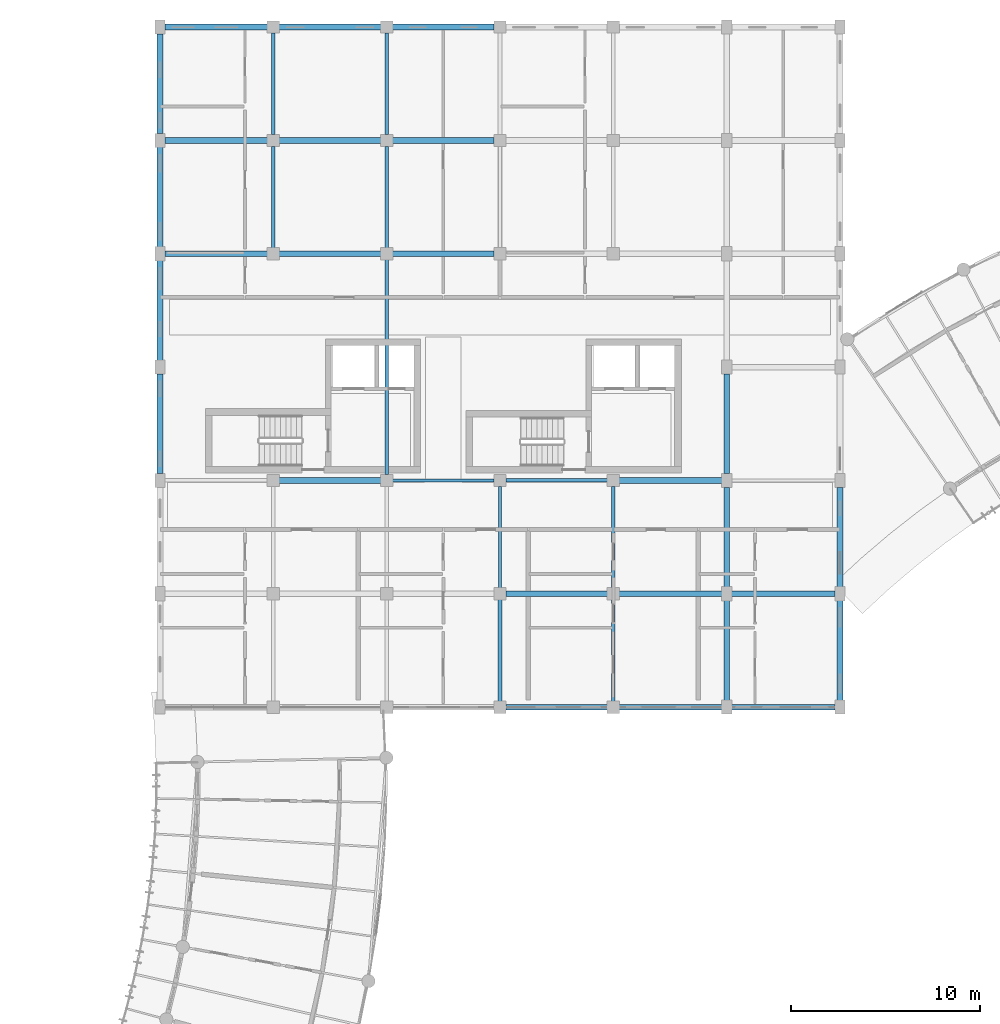
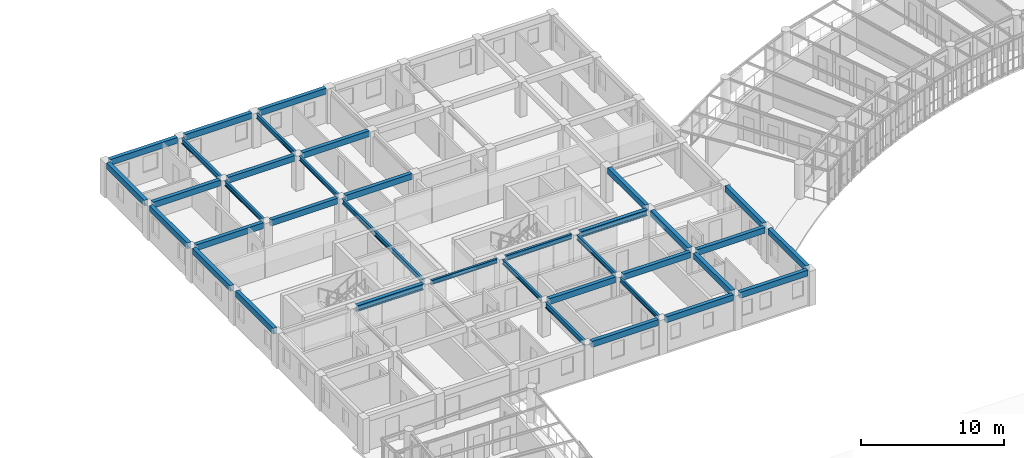
# One storey, part 24 of 100: 37 beams.
"""IFC4 building model written with IfcOpenShell, lengths in metres."""

from ifc_helpers import new_model, si_unit, direction, frame, origin, origin_2d, place, context, subcontext, project, spatial, rectangle, i_section, extrude, material, material_profile, profile_set, type_object, element, save


model = new_model("IFC4")

# Units and contexts
model_context = context("Model", 3, precision=1e-05, world=origin(), true_north=direction((0.0, 1.0)))
body_context = subcontext(model_context, "Body", "Model", "MODEL_VIEW")
ifc_project = project(units=[si_unit("LENGTHUNIT", "METRE"), si_unit("AREAUNIT", "SQUARE_METRE"), si_unit("VOLUMEUNIT", "CUBIC_METRE"), si_unit("PLANEANGLEUNIT", "RADIAN"), si_unit("MASSUNIT", "GRAM", prefix="KILO"), si_unit("POWERUNIT", "WATT"), si_unit("THERMODYNAMICTEMPERATUREUNIT", "KELVIN")], contexts=[model_context])

# Site, building, storey
site_placement = place(None, origin())
site = spatial("IfcSite", under=ifc_project, at=site_placement, CompositionType="ELEMENT")
building_placement = place(site_placement, origin())
building = spatial("IfcBuilding", under=site, at=building_placement, Name="Ruvembo Vaulted Housing Court", CompositionType="ELEMENT")
storey_placement = place(building_placement, frame((0.0, 0.0, 10.89990234375)))
storey = spatial("IfcBuildingStorey", under=building, at=storey_placement, Name="L03", CompositionType="ELEMENT", Elevation=10.89990234375)

# Beams
ifc_material_1 = material(Name="Steel S355J2", Category="steel")
ifc_material_profile_1 = material_profile(ifc_material_1, i_section(OverallWidth=0.300048828125, OverallDepth=0.5, WebThickness=0.014404296875, FlangeThickness=0.028076171875, FilletRadius=0.027099609375, at=origin_2d()), Name="HEB 320")
ifc_profile_set_1 = profile_set([ifc_material_profile_1], Name="Steel S355J2")
beam_type_1 = type_object("IfcBeamType", Name="BM-ST-HEB320", PredefinedType="BEAM", material=ifc_profile_set_1)
beam_1_placement = place(storey_placement, frame((54.31005859375, 90.0, 2.676025390625), z_axis=(1.0, 0.0, 0.0), x_axis=(0.0, 1.0, 0.0)))
element("IfcBeam", 1, at=beam_1_placement, inside=storey, type_object=beam_type_1, Name="L03 Grid Beam X #1814", PredefinedType="BEAM", context=body_context, shape_type="SweptSolid", body=[
    extrude(i_section(OverallWidth=0.300048828125, OverallDepth=0.5, WebThickness=0.014404296875, FlangeThickness=0.028076171875, FilletRadius=0.027099609375, at=origin_2d()), origin(), (0.0, 0.0, 1.0), 5.3798828125),
])
beam_2_placement = place(storey_placement, frame((72.31005859375, 90.0, 2.676025390625), z_axis=(1.0, 0.0, 0.0), x_axis=(0.0, 1.0, 0.0)))
element("IfcBeam", 2, at=beam_2_placement, inside=storey, type_object=beam_type_1, Name="L03 Grid Beam X #1817", PredefinedType="BEAM", context=body_context, shape_type="SweptSolid", body=[
    extrude(i_section(OverallWidth=0.300048828125, OverallDepth=0.5, WebThickness=0.014404296875, FlangeThickness=0.028076171875, FilletRadius=0.027099609375, at=origin_2d()), origin(), (0.0, 0.0, 1.0), 5.429931640625),
])
ifc_material_profile_2 = material_profile(ifc_material_1, i_section(OverallWidth=0.169921875, OverallDepth=0.360107421875, WebThickness=0.008056640625, FlangeThickness=0.0126953125, FilletRadius=0.01806640625, at=origin_2d()), Name="IPE 360")
ifc_profile_set_2 = profile_set([ifc_material_profile_2], Name="Steel S355J2")
beam_type_2 = type_object("IfcBeamType", Name="BM-ST-IPE360", PredefinedType="BEAM", material=ifc_profile_set_2)
for number, where, z_axis, x_axis, name in (
    (3, (60.31005859375, 90.0, 2.74609375), (1.0, 0.0, 0.0), (0.0, 1.0, 0.0), "L03 Grid Beam X #1815"),
    (4, (60.0, 102.31005859375, 2.74609375), (0.0, 1.0, 0.0), (-1.0, 0.0, 0.0), "L03 Grid Beam Y #1905"),
    (5, (66.0, 84.31005859375, 2.74609375), (0.0, 1.0, 0.0), (-1.0, 0.0, 0.0), "L03 Grid Beam Y #1908"),
    (6, (72.0, 78.31005859375, 2.74609375), (0.0, 1.0, 0.0), (-1.0, 0.0, 0.0), "L03 Grid Beam Y #1911"),
):
    element("IfcBeam", number, at=place(storey_placement, frame(where, z_axis=z_axis, x_axis=x_axis)), inside=storey, type_object=beam_type_2, Name=name, PredefinedType="BEAM", context=body_context, shape_type="SweptSolid", body=[
        extrude(i_section(OverallWidth=0.169921875, OverallDepth=0.360107421875, WebThickness=0.008056640625, FlangeThickness=0.0126953125, FilletRadius=0.01806640625, at=origin_2d()), origin(), (0.0, 0.0, 1.0), 5.3798828125),
    ])
ifc_material_profile_3 = material_profile(ifc_material_1, i_section(OverallWidth=0.179931640625, OverallDepth=0.39990234375, WebThickness=0.008544921875, FlangeThickness=0.013427734375, FilletRadius=0.02099609375, at=origin_2d()), Name="IPE 400")
ifc_profile_set_3 = profile_set([ifc_material_profile_3], Name="Steel S355J2")
beam_type_3 = type_object("IfcBeamType", Name="BM-ST-IPE400", PredefinedType="BEAM", material=ifc_profile_set_3)
for number, where, z_axis, x_axis, name in (
    (7, (66.31005859375, 90.0, 2.72607421875), (1.0, 0.0, 0.0), (0.0, 1.0, 0.0), "L03 Grid Beam X #1816"),
    (8, (54.0, 102.31005859375, 2.72607421875), (0.0, 1.0, 0.0), (-1.0, 0.0, 0.0), "L03 Grid Beam Y #1900"),
):
    element("IfcBeam", number, at=place(storey_placement, frame(where, z_axis=z_axis, x_axis=x_axis)), inside=storey, type_object=beam_type_3, Name=name, PredefinedType="BEAM", context=body_context, shape_type="SweptSolid", body=[
        extrude(i_section(OverallWidth=0.179931640625, OverallDepth=0.39990234375, WebThickness=0.008544921875, FlangeThickness=0.013427734375, FilletRadius=0.02099609375, at=origin_2d()), origin(), (0.0, 0.0, 1.0), 5.3798828125),
    ])
beam_3_placement = place(storey_placement, frame((60.0, 90.31005859375, 2.72607421875), z_axis=(0.0, 1.0, 0.0), x_axis=(-1.0, 0.0, 0.0)))
element("IfcBeam", 9, at=beam_3_placement, inside=storey, type_object=beam_type_3, Name="L03 Grid Beam Y #1904", PredefinedType="BEAM", context=body_context, shape_type="SweptSolid", body=[
    extrude(i_section(OverallWidth=0.179931640625, OverallDepth=0.39990234375, WebThickness=0.008544921875, FlangeThickness=0.013427734375, FilletRadius=0.02099609375, at=origin_2d()), origin(), (0.0, 0.0, 1.0), 11.3798828125),
])
for number, where, z_axis, x_axis, name in (
    (10, (60.0, 108.31005859375, 2.72607421875), (0.0, 1.0, 0.0), (-1.0, 0.0, 0.0), "L03 Grid Beam Y #1906"),
    (11, (72.0, 84.31005859375, 2.72607421875), (0.0, 1.0, 0.0), (-1.0, 0.0, 0.0), "L03 Grid Beam Y #1912"),
):
    element("IfcBeam", number, at=place(storey_placement, frame(where, z_axis=z_axis, x_axis=x_axis)), inside=storey, type_object=beam_type_3, Name=name, PredefinedType="BEAM", context=body_context, shape_type="SweptSolid", body=[
        extrude(i_section(OverallWidth=0.179931640625, OverallDepth=0.39990234375, WebThickness=0.008544921875, FlangeThickness=0.013427734375, FilletRadius=0.02099609375, at=origin_2d()), origin(), (0.0, 0.0, 1.0), 5.3798828125),
    ])
ifc_material_profile_4 = material_profile(ifc_material_1, i_section(OverallWidth=0.18994140625, OverallDepth=0.449951171875, WebThickness=0.009521484375, FlangeThickness=0.0146484375, FilletRadius=0.02099609375, at=origin_2d()), Name="IPE 450")
ifc_profile_set_4 = profile_set([ifc_material_profile_4], Name="Steel S355J2")
beam_type_4 = type_object("IfcBeamType", Name="BM-ST-IPE450", PredefinedType="BEAM", material=ifc_profile_set_4)
for number, where, z_axis, x_axis, name in (
    (12, (54.0, 108.31005859375, 2.701171875), (0.0, 1.0, 0.0), (-1.0, 0.0, 0.0), "L03 Grid Beam Y #1901"),
    (13, (66.0, 78.31005859375, 2.701171875), (0.0, 1.0, 0.0), (-1.0, 0.0, 0.0), "L03 Grid Beam Y #1907"),
):
    element("IfcBeam", number, at=place(storey_placement, frame(where, z_axis=z_axis, x_axis=x_axis)), inside=storey, type_object=beam_type_4, Name=name, PredefinedType="BEAM", context=body_context, shape_type="SweptSolid", body=[
        extrude(i_section(OverallWidth=0.18994140625, OverallDepth=0.449951171875, WebThickness=0.009521484375, FlangeThickness=0.0146484375, FilletRadius=0.02099609375, at=origin_2d()), origin(), (0.0, 0.0, 1.0), 5.3798828125),
    ])
ifc_material_2 = material(Name="Concrete C35/45", Category="concrete")
ifc_material_profile_5 = material_profile(ifc_material_2, rectangle(XDim=0.300048828125, YDim=0.5, at=origin_2d()), Name="RC 300x500")
ifc_profile_set_5 = profile_set([ifc_material_profile_5], Name="Concrete C35/45")
beam_type_5 = type_object("IfcBeamType", Name="SP-RC-300x500", PredefinedType="SPANDREL", material=ifc_profile_set_5)
beam_4_placement = place(storey_placement, frame((66.31005859375, 78.0, 2.710205078125), z_axis=(1.0, 0.0, 0.0), x_axis=(0.0, 1.0, 0.0)))
element("IfcBeam", 14, at=beam_4_placement, inside=storey, type_object=beam_type_5, Name="L03 Grid Beam X #1792", PredefinedType="SPANDREL", context=body_context, shape_type="SweptSolid", body=[
    extrude(rectangle(XDim=0.300048828125, YDim=0.5, at=origin_2d()), origin(), (0.0, 0.0, 1.0), 5.3798828125),
])
beam_5_placement = place(storey_placement, frame((72.31005859375, 78.0, 2.710205078125), z_axis=(1.0, 0.0, 0.0), x_axis=(0.0, 1.0, 0.0)))
element("IfcBeam", 15, at=beam_5_placement, inside=storey, type_object=beam_type_5, Name="L03 Grid Beam X #1793", PredefinedType="SPANDREL", context=body_context, shape_type="SweptSolid", body=[
    extrude(rectangle(XDim=0.300048828125, YDim=0.5, at=origin_2d()), origin(), (0.0, 0.0, 1.0), 5.429931640625),
])
beam_6_placement = place(storey_placement, frame((78.260009765625, 78.0, 2.710205078125), z_axis=(1.0, 0.0, 0.0), x_axis=(0.0, 1.0, 0.0)))
element("IfcBeam", 16, at=beam_6_placement, inside=storey, type_object=beam_type_5, Name="L03 Grid Beam X #1794", PredefinedType="SPANDREL", context=body_context, shape_type="SweptSolid", body=[
    extrude(rectangle(XDim=0.300048828125, YDim=0.5, at=origin_2d()), origin(), (0.0, 0.0, 1.0), 5.47998046875),
])
beam_7_placement = place(storey_placement, frame((66.31005859375, 84.0, 2.710205078125), z_axis=(1.0, 0.0, 0.0), x_axis=(0.0, 1.0, 0.0)))
element("IfcBeam", 17, at=beam_7_placement, inside=storey, type_object=beam_type_5, Name="L03 Grid Beam X #1804", PredefinedType="SPANDREL", context=body_context, shape_type="SweptSolid", body=[
    extrude(rectangle(XDim=0.300048828125, YDim=0.5, at=origin_2d()), origin(), (0.0, 0.0, 1.0), 5.3798828125),
])
beam_8_placement = place(storey_placement, frame((72.31005859375, 84.0, 2.710205078125), z_axis=(1.0, 0.0, 0.0), x_axis=(0.0, 1.0, 0.0)))
element("IfcBeam", 18, at=beam_8_placement, inside=storey, type_object=beam_type_5, Name="L03 Grid Beam X #1805", PredefinedType="SPANDREL", context=body_context, shape_type="SweptSolid", body=[
    extrude(rectangle(XDim=0.300048828125, YDim=0.5, at=origin_2d()), origin(), (0.0, 0.0, 1.0), 5.429931640625),
])
beam_9_placement = place(storey_placement, frame((78.260009765625, 84.0, 2.710205078125), z_axis=(1.0, 0.0, 0.0), x_axis=(0.0, 1.0, 0.0)))
element("IfcBeam", 19, at=beam_9_placement, inside=storey, type_object=beam_type_5, Name="L03 Grid Beam X #1806", PredefinedType="SPANDREL", context=body_context, shape_type="SweptSolid", body=[
    extrude(rectangle(XDim=0.300048828125, YDim=0.5, at=origin_2d()), origin(), (0.0, 0.0, 1.0), 5.47998046875),
])
beam_10_placement = place(storey_placement, frame((48.260009765625, 102.0, 2.710205078125), z_axis=(1.0, 0.0, 0.0), x_axis=(0.0, 1.0, 0.0)))
element("IfcBeam", 20, at=beam_10_placement, inside=storey, type_object=beam_type_5, Name="L03 Grid Beam X #1827", PredefinedType="SPANDREL", context=body_context, shape_type="SweptSolid", body=[
    extrude(rectangle(XDim=0.300048828125, YDim=0.5, at=origin_2d()), origin(), (0.0, 0.0, 1.0), 5.429931640625),
])
for number, where, z_axis, x_axis, name in (
    (21, (54.31005859375, 102.0, 2.710205078125), (1.0, 0.0, 0.0), (0.0, 1.0, 0.0), "L03 Grid Beam X #1828"),
    (22, (60.31005859375, 102.0, 2.710205078125), (1.0, 0.0, 0.0), (0.0, 1.0, 0.0), "L03 Grid Beam X #1829"),
):
    element("IfcBeam", number, at=place(storey_placement, frame(where, z_axis=z_axis, x_axis=x_axis)), inside=storey, type_object=beam_type_5, Name=name, PredefinedType="SPANDREL", context=body_context, shape_type="SweptSolid", body=[
        extrude(rectangle(XDim=0.300048828125, YDim=0.5, at=origin_2d()), origin(), (0.0, 0.0, 1.0), 5.3798828125),
    ])
beam_11_placement = place(storey_placement, frame((48.260009765625, 108.0, 2.710205078125), z_axis=(1.0, 0.0, 0.0), x_axis=(0.0, 1.0, 0.0)))
element("IfcBeam", 23, at=beam_11_placement, inside=storey, type_object=beam_type_5, Name="L03 Grid Beam X #1839", PredefinedType="SPANDREL", context=body_context, shape_type="SweptSolid", body=[
    extrude(rectangle(XDim=0.300048828125, YDim=0.5, at=origin_2d()), origin(), (0.0, 0.0, 1.0), 5.429931640625),
])
for number, where, z_axis, x_axis, name in (
    (24, (54.31005859375, 108.0, 2.710205078125), (1.0, 0.0, 0.0), (0.0, 1.0, 0.0), "L03 Grid Beam X #1840"),
    (25, (60.31005859375, 108.0, 2.710205078125), (1.0, 0.0, 0.0), (0.0, 1.0, 0.0), "L03 Grid Beam X #1841"),
):
    element("IfcBeam", number, at=place(storey_placement, frame(where, z_axis=z_axis, x_axis=x_axis)), inside=storey, type_object=beam_type_5, Name=name, PredefinedType="SPANDREL", context=body_context, shape_type="SweptSolid", body=[
        extrude(rectangle(XDim=0.300048828125, YDim=0.5, at=origin_2d()), origin(), (0.0, 0.0, 1.0), 5.3798828125),
    ])
beam_12_placement = place(storey_placement, frame((48.260009765625, 114.0, 2.710205078125), z_axis=(1.0, 0.0, 0.0), x_axis=(0.0, 1.0, 0.0)))
element("IfcBeam", 26, at=beam_12_placement, inside=storey, type_object=beam_type_5, Name="L03 Grid Beam X #1851", PredefinedType="SPANDREL", context=body_context, shape_type="SweptSolid", body=[
    extrude(rectangle(XDim=0.300048828125, YDim=0.5, at=origin_2d()), origin(), (0.0, 0.0, 1.0), 5.429931640625),
])
for number, where, z_axis, x_axis, name in (
    (27, (54.31005859375, 114.0, 2.710205078125), (1.0, 0.0, 0.0), (0.0, 1.0, 0.0), "L03 Grid Beam X #1852"),
    (28, (60.31005859375, 114.0, 2.710205078125), (1.0, 0.0, 0.0), (0.0, 1.0, 0.0), "L03 Grid Beam X #1853"),
):
    element("IfcBeam", number, at=place(storey_placement, frame(where, z_axis=z_axis, x_axis=x_axis)), inside=storey, type_object=beam_type_5, Name=name, PredefinedType="SPANDREL", context=body_context, shape_type="SweptSolid", body=[
        extrude(rectangle(XDim=0.300048828125, YDim=0.5, at=origin_2d()), origin(), (0.0, 0.0, 1.0), 5.3798828125),
    ])
for number, where, z_axis, x_axis, name in (
    (29, (48.0, 90.360107421875, 2.710205078125), (0.0, 1.0, 0.0), (-1.0, 0.0, 0.0), "L03 Grid Beam Y #1894"),
    (30, (48.0, 96.360107421875, 2.710205078125), (0.0, 1.0, 0.0), (-1.0, 0.0, 0.0), "L03 Grid Beam Y #1895"),
    (31, (48.0, 102.360107421875, 2.710205078125), (0.0, 1.0, 0.0), (-1.0, 0.0, 0.0), "L03 Grid Beam Y #1896"),
    (32, (48.0, 108.360107421875, 2.710205078125), (0.0, 1.0, 0.0), (-1.0, 0.0, 0.0), "L03 Grid Beam Y #1897"),
    (33, (78.0, 78.360107421875, 2.710205078125), (0.0, 1.0, 0.0), (-1.0, 0.0, 0.0), "L03 Grid Beam Y #1915"),
    (34, (78.0, 84.360107421875, 2.710205078125), (0.0, 1.0, 0.0), (-1.0, 0.0, 0.0), "L03 Grid Beam Y #1916"),
    (35, (78.0, 90.360107421875, 2.710205078125), (0.0, 1.0, 0.0), (-1.0, 0.0, 0.0), "L03 Grid Beam Y #1917"),
    (36, (84.0, 78.360107421875, 2.710205078125), (0.0, 1.0, 0.0), (-1.0, 0.0, 0.0), "L03 Grid Beam Y #1921"),
    (37, (84.0, 84.360107421875, 2.710205078125), (0.0, 1.0, 0.0), (-1.0, 0.0, 0.0), "L03 Grid Beam Y #1922"),
):
    element("IfcBeam", number, at=place(storey_placement, frame(where, z_axis=z_axis, x_axis=x_axis)), inside=storey, type_object=beam_type_5, Name=name, PredefinedType="SPANDREL", context=body_context, shape_type="SweptSolid", body=[
        extrude(rectangle(XDim=0.300048828125, YDim=0.5, at=origin_2d()), origin(), (0.0, 0.0, 1.0), 5.27978515625),
    ])

save(model, "model.ifc")
